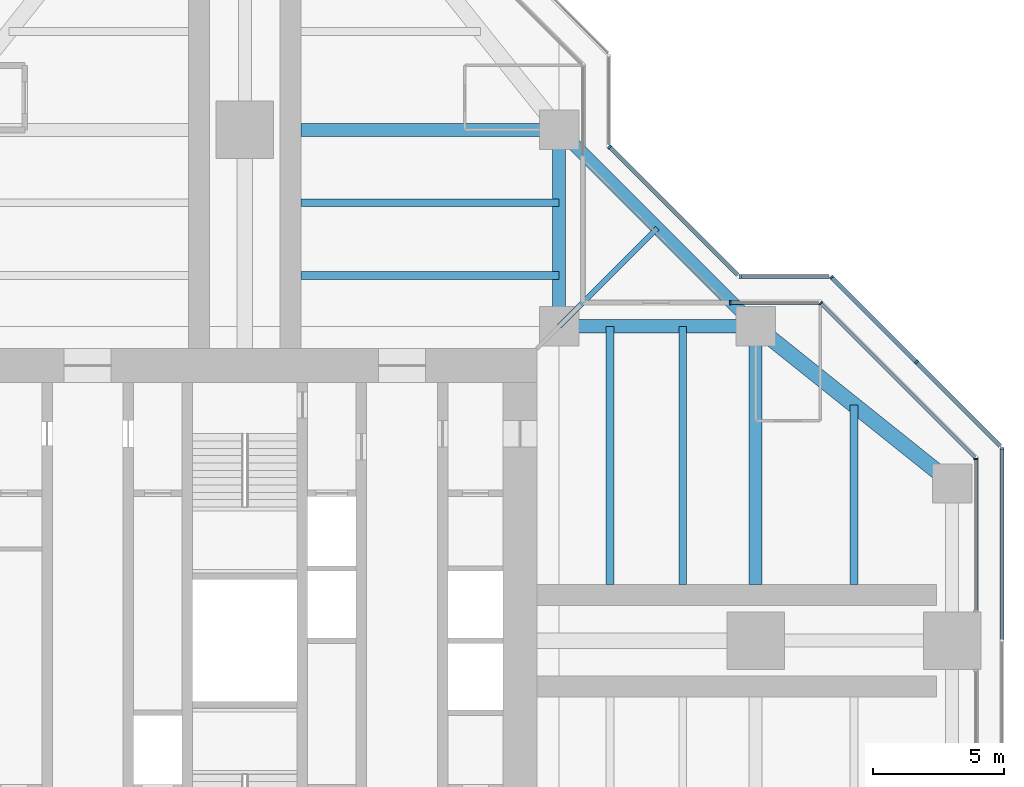
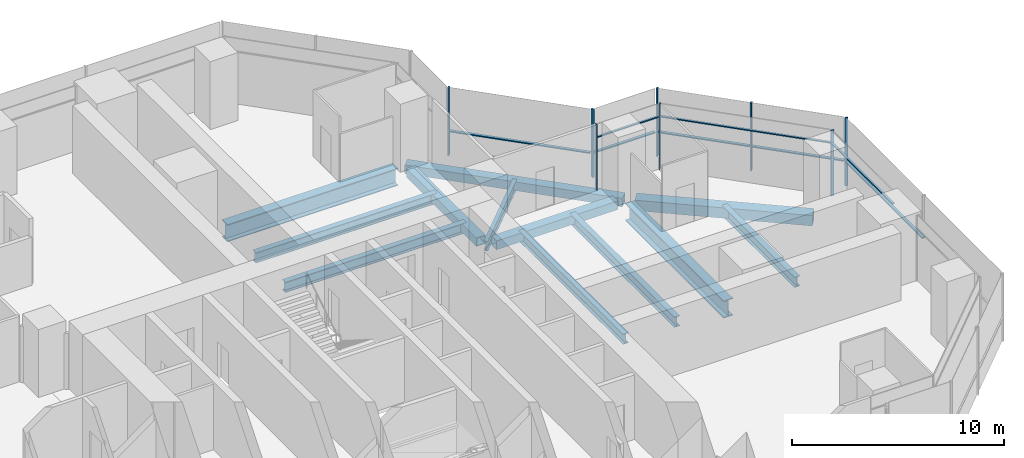
# One storey, part 8 of 17: 16 members, 12 beams, 7 elements without a shape of their own.
"""IFC4 building model written with IfcOpenShell, lengths in metres."""

from ifc_helpers import new_model, si_unit, direction, frame, origin, origin_2d, place, context, subcontext, project, spatial, rectangle, hollow_rectangle, i_section, extrude, material, material_profile, profile_set, type_object, element, aggregate, save


model = new_model("IFC4")

# Units and contexts
model_context = context("Model", 3, precision=1e-05, world=origin(), true_north=direction((0.0, 1.0)))
body_context = subcontext(model_context, "Body", "Model", "MODEL_VIEW")
ifc_project = project(units=[si_unit("LENGTHUNIT", "METRE"), si_unit("AREAUNIT", "SQUARE_METRE"), si_unit("VOLUMEUNIT", "CUBIC_METRE"), si_unit("PLANEANGLEUNIT", "RADIAN"), si_unit("MASSUNIT", "GRAM", prefix="KILO")], contexts=[model_context])

# Site, building, storey
site_placement = place(None, origin())
site = spatial("IfcSite", under=ifc_project, at=site_placement, CompositionType="ELEMENT")
building_placement = place(site_placement, origin())
building = spatial("IfcBuilding", under=site, at=building_placement, Name="Mizan Broadcast Tower", CompositionType="ELEMENT")
storey_placement = place(building_placement, frame((0.0, 0.0, 255.60009765625)))
storey = spatial("IfcBuildingStorey", under=building, at=storey_placement, Name="L60", CompositionType="ELEMENT", Elevation=255.60009765625)

# Beams
ifc_material_1 = material(Name="Steel S355", Category="steel")
ifc_material_profile_1 = material_profile(ifc_material_1, hollow_rectangle(XDim=0.5, YDim=0.5, WallThickness=0.030029296875, at=origin_2d()), Name="BOX 500x500x30")
ifc_profile_set_1 = profile_set([ifc_material_profile_1], Name="Steel S355")
beam_type_1 = type_object("IfcBeamType", Name="EDGE BEAM BOX 500x500x30", PredefinedType="SPANDREL", material=ifc_profile_set_1)
for number, where, z_axis, x_axis, name in (
    (1, (12.449951171875, 12.0, -0.380126953125), (1.0, 0.0, 0.0), (0.0, 1.0, 0.0), "Edge beam BOX 500x500x30 L60 east arm"),
    (2, (12.0, 12.449951171875, -0.380126953125), (0.0, 1.0, 0.0), (-1.0, 0.0, 0.0), "Edge beam BOX 500x500x30 L60 north arm"),
):
    element("IfcBeam", number, at=place(storey_placement, frame(where, z_axis=z_axis, x_axis=x_axis)), inside=storey, type_object=beam_type_1, Name=name, PredefinedType="SPANDREL", context=body_context, shape_type="SweptSolid", body=[
        extrude(hollow_rectangle(XDim=0.5, YDim=0.5, WallThickness=0.030029296875, at=origin_2d()), origin(), (0.0, 0.0, 1.0), 6.60009765625),
    ])
beam_1_placement = place(storey_placement, frame((19.5, 12.0, -0.380126953125), z_axis=(-0.707106781187, 0.707106781187, 0.0), x_axis=(-0.707106781187, -0.707106781187, 0.0)))
element("IfcBeam", 3, at=beam_1_placement, inside=storey, type_object=beam_type_1, Name="Winter garden edge beam L60 E", PredefinedType="SPANDREL", context=body_context, shape_type="SweptSolid", body=[
    extrude(hollow_rectangle(XDim=0.5, YDim=0.5, WallThickness=0.030029296875, at=origin_2d()), origin(), (0.0, 0.0, 1.0), 10.606689453125),
])
ifc_material_2 = material(Name="Steel S355", Category="steel")
ifc_material_profile_2 = material_profile(ifc_material_2, hollow_rectangle(XDim=0.60009765625, YDim=0.60009765625, WallThickness=0.030029296875, at=origin_2d()), Name="BOX 600x600x30")
ifc_profile_set_2 = profile_set([ifc_material_profile_2], Name="Steel S355")
beam_type_2 = type_object("IfcBeamType", Name="EDGE BEAM BOX 600x600x30", PredefinedType="SPANDREL", material=ifc_profile_set_2)
beam_2_placement = place(storey_placement, frame((19.949951171875, 11.639892578125, -0.43017578125), z_axis=(0.780885717636, -0.624673911726, 0.0), x_axis=(0.624673911726, 0.780885717636, 0.0)))
element("IfcBeam", 4, at=beam_2_placement, inside=storey, type_object=beam_type_2, Name="Edge beam BOX 600x600x30 L60 east arm", PredefinedType="SPANDREL", context=body_context, shape_type="SweptSolid", body=[
    extrude(hollow_rectangle(XDim=0.60009765625, YDim=0.60009765625, WallThickness=0.030029296875, at=origin_2d()), origin(), (0.0, 0.0, 1.0), 8.4521484375),
])
ifc_material_3 = material(Name="Steel S460", Category="steel")
ifc_material_profile_3 = material_profile(ifc_material_3, i_section(OverallWidth=0.5, OverallDepth=1.0, WebThickness=0.02490234375, FlangeThickness=0.050048828125, at=origin_2d()), Name="WPG 1000x500")
ifc_profile_set_3 = profile_set([ifc_material_profile_3], Name="Steel S460")
beam_type_3 = type_object("IfcBeamType", Name="GIRDER WPG 1000x500", PredefinedType="BEAM", material=ifc_profile_set_3)
for number, where, z_axis, x_axis, name in (
    (5, (19.5, 11.408935546875, -0.630126953125), (0.0, -1.0, 0.0), (1.0, 0.0, 0.0), "Girder WPG 1000x500 L60 east arm"),
    (6, (11.408935546875, 19.5, -0.630126953125), (-1.0, 0.0, 0.0), (0.0, -1.0, 0.0), "Girder WPG 1000x500 L60 north arm"),
):
    element("IfcBeam", number, at=place(storey_placement, frame(where, z_axis=z_axis, x_axis=x_axis)), inside=storey, type_object=beam_type_3, Name=name, PredefinedType="BEAM", context=body_context, shape_type="SweptSolid", body=[
        extrude(i_section(OverallWidth=0.5, OverallDepth=1.0, WebThickness=0.02490234375, FlangeThickness=0.050048828125, at=origin_2d()), origin(), (0.0, 0.0, 1.0), 9.259033203125),
    ])

# Curtain wall, member
ifc_material_4 = material(Name="Aluminium framed glazing", Category="aluminium")
curtain_wall_type_1 = type_object("IfcCurtainWallType", Name="INNER SKIN HIGH ZONE", PredefinedType="USERDEFINED", material=ifc_material_4)
curtain_wall_1_placement = place(storey_placement, origin())
curtain_wall_1 = element("IfcCurtainWall", 7, at=curtain_wall_1_placement, inside=storey, type_object=curtain_wall_type_1, Name="Inner skin high zone L60 E end", ObjectType="INNER SKIN HIGH ZONE", PredefinedType="USERDEFINED")
ifc_material_5 = material(Name="Aluminium, pale anodised", Category="aluminium")
ifc_material_profile_4 = material_profile(ifc_material_5, rectangle(XDim=0.159912109375, YDim=0.06005859375, at=origin_2d()), Name="MULLION 160x60")
ifc_profile_set_4 = profile_set([ifc_material_profile_4], Name="Aluminium, pale anodised")
member_type_1 = type_object("IfcMemberType", Name="INNER SKIN MULLION 60x160", PredefinedType="MULLION", material=ifc_profile_set_4)
member_1_placement = place(storey_placement, frame((27.89990234375, 6.928466796875, 0.0), z_axis=(0.0, 0.0, 1.0), x_axis=(-1.0, 0.0, 0.0)))
member_1 = element("IfcMember", 8, at=member_1_placement, type_object=member_type_1, Name="Inner skin high zone L60 E end mullion 2", PredefinedType="MULLION", context=body_context, shape_type="SweptSolid", body=[
    extrude(rectangle(XDim=0.159912109375, YDim=0.06005859375, at=origin_2d()), origin(), (0.0, 0.0, 1.0), 3.77001953125),
])

curtain_wall_2_placement = place(storey_placement, origin())
curtain_wall_2 = element("IfcCurtainWall", 9, at=curtain_wall_2_placement, inside=storey, type_object=curtain_wall_type_1, Name="Inner skin high zone L60 E chamfer", ObjectType="INNER SKIN HIGH ZONE", PredefinedType="USERDEFINED")
member_2_placement = place(storey_placement, frame((21.979736328125, 12.87890625, 0.0), z_axis=(0.0, 0.0, 1.0), x_axis=(-0.707106781187, -0.707106781187, 0.0)))
member_2 = element("IfcMember", 10, at=member_2_placement, type_object=member_type_1, Name="Inner skin high zone L60 E chamfer mullion 2", PredefinedType="MULLION", context=body_context, shape_type="SweptSolid", body=[
    extrude(rectangle(XDim=0.159912109375, YDim=0.06005859375, at=origin_2d()), origin(), (0.0, 0.0, 1.0), 3.77001953125),
])

curtain_wall_3_placement = place(storey_placement, origin())
curtain_wall_3 = element("IfcCurtainWall", 11, at=curtain_wall_3_placement, inside=storey, type_object=curtain_wall_type_1, Name="Inner skin high zone L60 E side", ObjectType="INNER SKIN HIGH ZONE", PredefinedType="USERDEFINED")
member_3_placement = place(storey_placement, frame((18.530029296875, 12.89990234375, 0.0), z_axis=(0.0, 0.0, 1.0), x_axis=(0.0, -1.0, 0.0)))
member_3 = element("IfcMember", 12, at=member_3_placement, type_object=member_type_1, Name="Inner skin high zone L60 E side mullion 2", PredefinedType="MULLION", context=body_context, shape_type="SweptSolid", body=[
    extrude(rectangle(XDim=0.159912109375, YDim=0.06005859375, at=origin_2d()), origin(), (0.0, 0.0, 1.0), 3.77001953125),
])

# Member
ifc_material_6 = material(Name="Aluminium, pale anodised", Category="aluminium")
ifc_material_profile_5 = material_profile(ifc_material_6, rectangle(XDim=0.1201171875, YDim=0.06005859375, at=origin_2d()), Name="TRANSOM 120x60")
ifc_profile_set_5 = profile_set([ifc_material_profile_5], Name="Aluminium, pale anodised")
member_type_2 = type_object("IfcMemberType", Name="INNER SKIN TRANSOM 60x120", PredefinedType="USERDEFINED", material=ifc_profile_set_5)
member_4_placement = place(storey_placement, frame((27.89990234375, 1.159912109375, 3.02978515625), z_axis=(0.0, 1.0, 0.0), x_axis=(-1.0, 0.0, 0.0)))
member_4 = element("IfcMember", 13, at=member_4_placement, type_object=member_type_2, Name="Inner skin high zone L60 E end transom 1.1", ObjectType="TRANSOM", PredefinedType="USERDEFINED", context=body_context, shape_type="SweptSolid", body=[
    extrude(rectangle(XDim=0.1201171875, YDim=0.06005859375, at=origin_2d()), origin(), (0.0, 0.0, 1.0), 5.73876953125),
])

aggregate(curtain_wall_1, [member_1, member_4])

member_5_placement = place(storey_placement, frame((27.857666015625, 7.0009765625, 3.02978515625), z_axis=(-0.707106781187, 0.707106781187, 0.0), x_axis=(-0.707106781187, -0.707106781187, 0.0)))
member_5 = element("IfcMember", 14, at=member_5_placement, type_object=member_type_2, Name="Inner skin high zone L60 E chamfer transom 1.1", ObjectType="TRANSOM", PredefinedType="USERDEFINED", context=body_context, shape_type="SweptSolid", body=[
    extrude(rectangle(XDim=0.1201171875, YDim=0.06005859375, at=origin_2d()), origin(), (0.0, 0.0, 1.0), 8.28271484375),
])

aggregate(curtain_wall_2, [member_2, member_5])

member_6_placement = place(storey_placement, frame((21.898681640625, 12.89990234375, 3.02978515625), z_axis=(-1.0, 0.0, 0.0), x_axis=(0.0, -1.0, 0.0)))
member_6 = element("IfcMember", 15, at=member_6_placement, type_object=member_type_2, Name="Inner skin high zone L60 E side transom 1.1", ObjectType="TRANSOM", PredefinedType="USERDEFINED", context=body_context, shape_type="SweptSolid", body=[
    extrude(rectangle(XDim=0.1201171875, YDim=0.06005859375, at=origin_2d()), origin(), (0.0, 0.0, 1.0), 3.338623046875),
])

aggregate(curtain_wall_3, [member_3, member_6])

# Curtain wall, member
ifc_material_7 = material(Name="Aluminium framed glazing", Category="aluminium")
curtain_wall_type_2 = type_object("IfcCurtainWallType", Name="OUTER SKIN", PredefinedType="USERDEFINED", material=ifc_material_7)
curtain_wall_4_placement = place(storey_placement, origin())
curtain_wall_4 = element("IfcCurtainWall", 16, at=curtain_wall_4_placement, inside=storey, type_object=curtain_wall_type_2, Name="Outer skin L60 E end", ObjectType="OUTER SKIN", PredefinedType="USERDEFINED")
ifc_material_8 = material(Name="Aluminium, pale anodised", Category="aluminium")
ifc_material_profile_6 = material_profile(ifc_material_8, rectangle(XDim=0.159912109375, YDim=0.080078125, at=origin_2d()), Name="MULLION 160x80")
ifc_profile_set_6 = profile_set([ifc_material_profile_6], Name="Aluminium, pale anodised")
member_type_3 = type_object("IfcMemberType", Name="OUTER SKIN MULLION 80x160", PredefinedType="MULLION", material=ifc_profile_set_6)
member_7_placement = place(storey_placement, frame((28.89990234375, 7.332763671875, 0.0), z_axis=(0.0, 0.0, 1.0), x_axis=(-1.0, 0.0, 0.0)))
member_7 = element("IfcMember", 17, at=member_7_placement, type_object=member_type_3, Name="Outer skin L60 E end mullion 3", PredefinedType="MULLION", context=body_context, shape_type="SweptSolid", body=[
    extrude(rectangle(XDim=0.159912109375, YDim=0.080078125, at=origin_2d()), origin(), (0.0, 0.0, 1.0), 3.89990234375),
])

# Curtain wall, members
curtain_wall_5_placement = place(storey_placement, origin())
curtain_wall_5 = element("IfcCurtainWall", 18, at=curtain_wall_5_placement, inside=storey, type_object=curtain_wall_type_2, Name="Outer skin L60 E chamfer", ObjectType="OUTER SKIN", PredefinedType="USERDEFINED")
member_8_placement = place(storey_placement, frame((25.636474609375, 10.636474609375, 0.0), z_axis=(0.0, 0.0, 1.0), x_axis=(-0.707106781187, -0.707106781187, 0.0)))
member_8 = element("IfcMember", 19, at=member_8_placement, type_object=member_type_3, Name="Outer skin L60 E chamfer mullion 2", PredefinedType="MULLION", context=body_context, shape_type="SweptSolid", body=[
    extrude(rectangle(XDim=0.159912109375, YDim=0.080078125, at=origin_2d()), origin(), (0.0, 0.0, 1.0), 3.89990234375),
])
member_9_placement = place(storey_placement, frame((22.401123046875, 13.871826171875, 0.0), z_axis=(0.0, 0.0, 1.0), x_axis=(-0.707106781187, -0.707106781187, 0.0)))
member_9 = element("IfcMember", 20, at=member_9_placement, type_object=member_type_3, Name="Outer skin L60 E chamfer mullion 3", PredefinedType="MULLION", context=body_context, shape_type="SweptSolid", body=[
    extrude(rectangle(XDim=0.159912109375, YDim=0.080078125, at=origin_2d()), origin(), (0.0, 0.0, 1.0), 3.89990234375),
])

# Curtain wall, member
curtain_wall_6_placement = place(storey_placement, origin())
curtain_wall_6 = element("IfcCurtainWall", 21, at=curtain_wall_6_placement, inside=storey, type_object=curtain_wall_type_2, Name="Outer skin L60 E side", ObjectType="OUTER SKIN", PredefinedType="USERDEFINED")
member_10_placement = place(storey_placement, frame((18.912841796875, 13.89990234375, 0.0), z_axis=(0.0, 0.0, 1.0), x_axis=(0.0, -1.0, 0.0)))
member_10 = element("IfcMember", 22, at=member_10_placement, type_object=member_type_3, Name="Outer skin L60 E side mullion 2", PredefinedType="MULLION", context=body_context, shape_type="SweptSolid", body=[
    extrude(rectangle(XDim=0.159912109375, YDim=0.080078125, at=origin_2d()), origin(), (0.0, 0.0, 1.0), 3.89990234375),
])

curtain_wall_7_placement = place(storey_placement, origin())
curtain_wall_7 = element("IfcCurtainWall", 23, at=curtain_wall_7_placement, inside=storey, type_object=curtain_wall_type_2, Name="Outer skin L60 E chamfer", ObjectType="OUTER SKIN", PredefinedType="USERDEFINED")
member_11_placement = place(storey_placement, frame((13.92822265625, 18.844482421875, 0.0), z_axis=(0.0, 0.0, 1.0), x_axis=(-0.707106781187, -0.707106781187, 0.0)))
member_11 = element("IfcMember", 24, at=member_11_placement, type_object=member_type_3, Name="Outer skin L60 E chamfer mullion 2", PredefinedType="MULLION", context=body_context, shape_type="SweptSolid", body=[
    extrude(rectangle(XDim=0.159912109375, YDim=0.080078125, at=origin_2d()), origin(), (0.0, 0.0, 1.0), 3.89990234375),
])

# Member
ifc_material_9 = material(Name="Aluminium, pale anodised", Category="aluminium")
ifc_material_profile_7 = material_profile(ifc_material_9, rectangle(XDim=0.159912109375, YDim=0.06005859375, at=origin_2d()), Name="TRANSOM 160x60")
ifc_profile_set_7 = profile_set([ifc_material_profile_7], Name="Aluminium, pale anodised")
member_type_4 = type_object("IfcMemberType", Name="OUTER SKIN TRANSOM 60x160", PredefinedType="USERDEFINED", material=ifc_profile_set_7)
member_12_placement = place(storey_placement, frame((28.89990234375, 0.0400390625, 1.39990234375), z_axis=(0.0, 1.0, 0.0), x_axis=(-1.0, 0.0, 0.0)))
member_12 = element("IfcMember", 25, at=member_12_placement, type_object=member_type_4, Name="Outer skin L60 E end transom 2.1", ObjectType="TRANSOM", PredefinedType="USERDEFINED", context=body_context, shape_type="SweptSolid", body=[
    extrude(rectangle(XDim=0.159912109375, YDim=0.06005859375, at=origin_2d()), origin(), (0.0, 0.0, 1.0), 7.252685546875),
])

aggregate(curtain_wall_4, [member_7, member_12])

member_13_placement = place(storey_placement, frame((28.843505859375, 7.429443359375, 1.39990234375), z_axis=(-0.707106781187, 0.707106781187, 0.0), x_axis=(-0.707106781187, -0.707106781187, 0.0)))
member_13 = element("IfcMember", 26, at=member_13_placement, type_object=member_type_4, Name="Outer skin L60 E chamfer transom 1.1", ObjectType="TRANSOM", PredefinedType="USERDEFINED", context=body_context, shape_type="SweptSolid", body=[
    extrude(rectangle(XDim=0.159912109375, YDim=0.06005859375, at=origin_2d()), origin(), (0.0, 0.0, 1.0), 4.495361328125),
])

member_14_placement = place(storey_placement, frame((25.608154296875, 10.664794921875, 1.39990234375), z_axis=(-0.707106781187, 0.707106781187, 0.0), x_axis=(-0.707106781187, -0.707106781187, 0.0)))
member_14 = element("IfcMember", 27, at=member_14_placement, type_object=member_type_4, Name="Outer skin L60 E chamfer transom 2.1", ObjectType="TRANSOM", PredefinedType="USERDEFINED", context=body_context, shape_type="SweptSolid", body=[
    extrude(rectangle(XDim=0.159912109375, YDim=0.06005859375, at=origin_2d()), origin(), (0.0, 0.0, 1.0), 4.495361328125),
])

aggregate(curtain_wall_5, [member_8, member_9, member_13, member_14])

member_15_placement = place(storey_placement, frame((22.292724609375, 13.89990234375, 1.39990234375), z_axis=(-1.0, 0.0, 0.0), x_axis=(0.0, -1.0, 0.0)))
member_15 = element("IfcMember", 28, at=member_15_placement, type_object=member_type_4, Name="Outer skin L60 E side transom 1.1", ObjectType="TRANSOM", PredefinedType="USERDEFINED", context=body_context, shape_type="SweptSolid", body=[
    extrude(rectangle(XDim=0.159912109375, YDim=0.06005859375, at=origin_2d()), origin(), (0.0, 0.0, 1.0), 3.33984375),
])

aggregate(curtain_wall_6, [member_10, member_15])

member_16_placement = place(storey_placement, frame((18.816162109375, 13.95654296875, 1.39990234375), z_axis=(-0.707106781187, 0.707106781187, 0.0), x_axis=(-0.707106781187, -0.707106781187, 0.0)))
member_16 = element("IfcMember", 29, at=member_16_placement, type_object=member_type_4, Name="Outer skin L60 E chamfer transom 1.1", ObjectType="TRANSOM", PredefinedType="USERDEFINED", context=body_context, shape_type="SweptSolid", body=[
    extrude(rectangle(XDim=0.159912109375, YDim=0.06005859375, at=origin_2d()), origin(), (0.0, 0.0, 1.0), 6.87255859375),
])

aggregate(curtain_wall_7, [member_11, member_16])

# Beams
ifc_material_10 = material(Name="Steel S355", Category="steel")
ifc_material_profile_8 = material_profile(ifc_material_10, i_section(OverallWidth=0.300048828125, OverallDepth=0.590087890625, WebThickness=0.012939453125, FlangeThickness=0.02490234375, FilletRadius=0.027099609375, at=origin_2d()), Name="HEA 600")
ifc_profile_set_8 = profile_set([ifc_material_profile_8], Name="Steel S355")
beam_type_4 = type_object("IfcBeamType", Name="SECONDARY BEAM HEA 600", PredefinedType="JOIST", material=ifc_profile_set_8)
for number, where, z_axis, x_axis, name in (
    (30, (13.933349609375, 12.0, -0.425048828125), (0.0, -1.0, 0.0), (1.0, 0.0, 0.0), "Secondary beam HEA 600 L60 east arm"),
    (31, (16.716552734375, 12.0, -0.425048828125), (0.0, -1.0, 0.0), (1.0, 0.0, 0.0), "Secondary beam HEA 600 L60 east arm"),
):
    element("IfcBeam", number, at=place(storey_placement, frame(where, z_axis=z_axis, x_axis=x_axis)), inside=storey, type_object=beam_type_4, Name=name, PredefinedType="JOIST", context=body_context, shape_type="SweptSolid", body=[
        extrude(i_section(OverallWidth=0.300048828125, OverallDepth=0.590087890625, WebThickness=0.012939453125, FlangeThickness=0.02490234375, FilletRadius=0.027099609375, at=origin_2d()), origin(), (0.0, 0.0, 1.0), 9.85009765625),
    ])
beam_3_placement = place(storey_placement, frame((23.25, 9.0, -0.425048828125), z_axis=(0.0, -1.0, 0.0), x_axis=(1.0, 0.0, 0.0)))
element("IfcBeam", 32, at=beam_3_placement, inside=storey, type_object=beam_type_4, Name="Secondary beam HEA 600 L60 east arm", PredefinedType="JOIST", context=body_context, shape_type="SweptSolid", body=[
    extrude(i_section(OverallWidth=0.300048828125, OverallDepth=0.590087890625, WebThickness=0.012939453125, FlangeThickness=0.02490234375, FilletRadius=0.027099609375, at=origin_2d()), origin(), (0.0, 0.0, 1.0), 6.85009765625),
])
for number, where, z_axis, x_axis, name in (
    (33, (12.0, 13.933349609375, -0.425048828125), (-1.0, 0.0, 0.0), (0.0, -1.0, 0.0), "Secondary beam HEA 600 L60 north arm"),
    (34, (12.0, 16.716552734375, -0.425048828125), (-1.0, 0.0, 0.0), (0.0, -1.0, 0.0), "Secondary beam HEA 600 L60 north arm"),
):
    element("IfcBeam", number, at=place(storey_placement, frame(where, z_axis=z_axis, x_axis=x_axis)), inside=storey, type_object=beam_type_4, Name=name, PredefinedType="JOIST", context=body_context, shape_type="SweptSolid", body=[
        extrude(i_section(OverallWidth=0.300048828125, OverallDepth=0.590087890625, WebThickness=0.012939453125, FlangeThickness=0.02490234375, FilletRadius=0.027099609375, at=origin_2d()), origin(), (0.0, 0.0, 1.0), 9.85009765625),
    ])
ifc_material_11 = material(Name="Steel S355", Category="steel")
ifc_material_profile_9 = material_profile(ifc_material_11, i_section(OverallWidth=0.2099609375, OverallDepth=0.550048828125, WebThickness=0.010986328125, FlangeThickness=0.01708984375, FilletRadius=0.02392578125, at=origin_2d()), Name="IPE 550")
ifc_profile_set_9 = profile_set([ifc_material_profile_9], Name="Steel S355")
beam_type_5 = type_object("IfcBeamType", Name="SECONDARY BEAM IPE 550", PredefinedType="JOIST", material=ifc_profile_set_9)
beam_4_placement = place(storey_placement, frame((12.0, 12.0, -0.405029296875), z_axis=(0.707106781187, 0.707106781187, 0.0), x_axis=(-0.707106781187, 0.707106781187, 0.0)))
element("IfcBeam", 35, at=beam_4_placement, inside=storey, type_object=beam_type_5, Name="Winter garden beam L60 E", PredefinedType="JOIST", context=body_context, shape_type="SweptSolid", body=[
    extrude(i_section(OverallWidth=0.2099609375, OverallDepth=0.550048828125, WebThickness=0.010986328125, FlangeThickness=0.01708984375, FilletRadius=0.02392578125, at=origin_2d()), origin(), (0.0, 0.0, 1.0), 5.30322265625),
])

save(model, "model.ifc")
